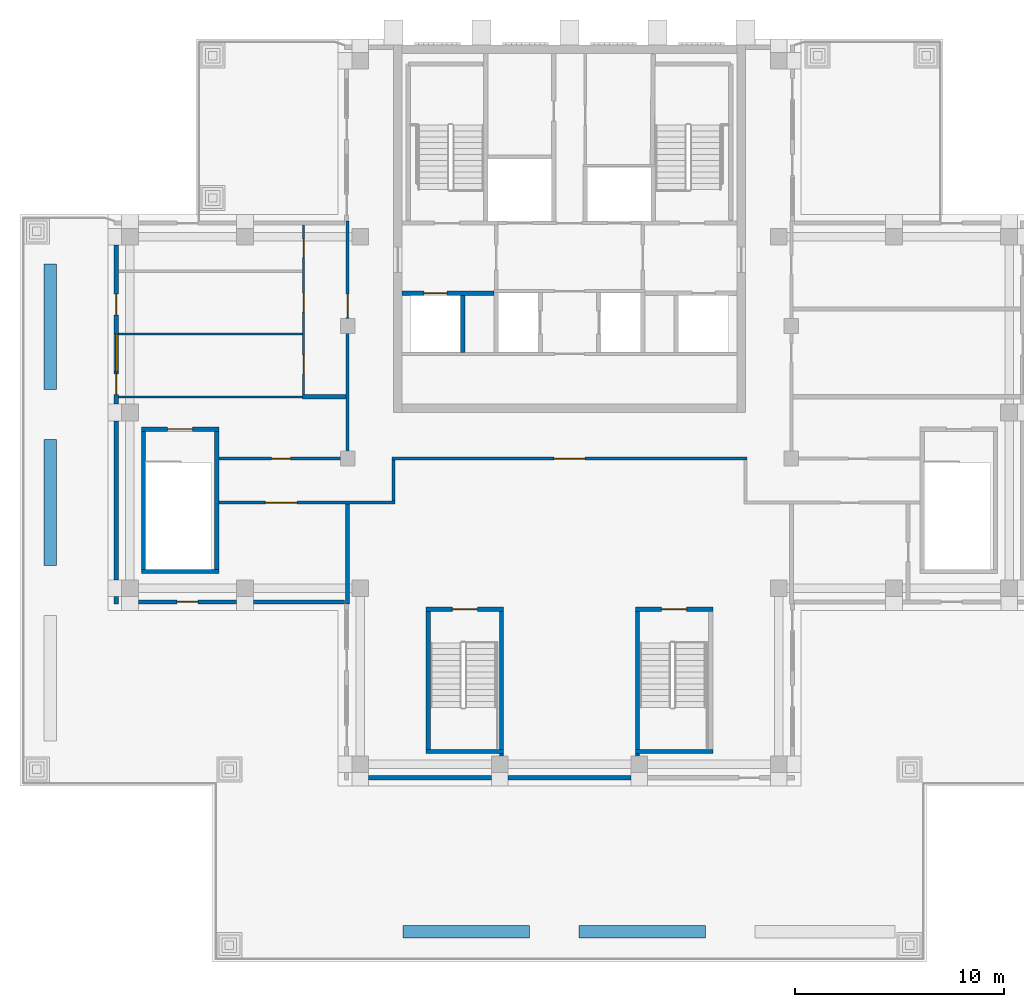
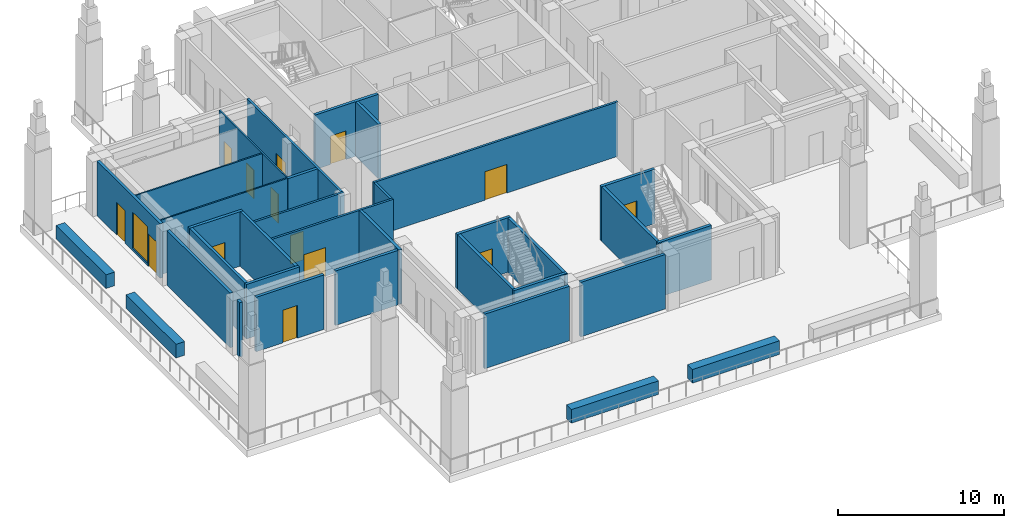
# One storey, part 2 of 10: 34 walls, 14 doors, 1 window, 15 openings.
"""IFC4 building model written with IfcOpenShell, lengths in metres."""

from ifc_helpers import new_model, si_unit, direction, frame, frame_2d, origin, place, context, subcontext, project, spatial, rectangle, extrude, material, layer, layer_set, type_object, element, fill, save


model = new_model("IFC4")

# Units and contexts
model_context = context("Model", 3, precision=1e-05, world=origin(), true_north=direction((0.0, 1.0)))
body_context = subcontext(model_context, "Body", "Model", "MODEL_VIEW")
ifc_project = project(units=[si_unit("LENGTHUNIT", "METRE"), si_unit("AREAUNIT", "SQUARE_METRE"), si_unit("VOLUMEUNIT", "CUBIC_METRE"), si_unit("PLANEANGLEUNIT", "RADIAN"), si_unit("MASSUNIT", "GRAM", prefix="KILO")], contexts=[model_context])

# Site, building, storey
site_placement = place(None, origin())
site = spatial("IfcSite", under=ifc_project, at=site_placement, CompositionType="ELEMENT")
building_placement = place(site_placement, origin())
building = spatial("IfcBuilding", under=site, at=building_placement, Name="Vermilion Ogive Tower", CompositionType="ELEMENT")
storey_placement = place(building_placement, frame((0.0, 0.0, 269.35009765625)))
storey = spatial("IfcBuildingStorey", under=building, at=storey_placement, Name="L71", CompositionType="ELEMENT", Elevation=269.35009765625)

# Walls
ifc_material_1 = material(Name="Gypsum board partition on steel studs", Category="steel")
ifc_layer_1 = layer(ifc_material_1, 0.10009765625)
ifc_layer_set_1 = layer_set([ifc_layer_1], Name="Partition 100 bath")
wall_type_1 = type_object("IfcWallType", Name="Partition 100 bath", PredefinedType="PARTITIONING", material=ifc_layer_set_1)
wall_1_placement = place(storey_placement, frame((-21.550048828125, 4.949951171875, 0.0), z_axis=(0.0, 0.0, 1.0), x_axis=(1.0, 0.0, 0.0)))
element("IfcWall", 1, at=wall_1_placement, inside=storey, type_object=wall_type_1, Name="L71-FS-W-W006", PredefinedType="PARTITIONING", context=body_context, shape_type="SweptSolid", body=[
    extrude(rectangle(XDim=8.900146484375, YDim=0.10009765625, at=frame_2d((4.4501953125, 0.0))), origin(), (0.0, 0.0, 1.0), 4.0),
])
wall_2_placement = place(storey_placement, frame((-21.550048828125, 7.949951171875, 0.0), z_axis=(0.0, 0.0, 1.0), x_axis=(1.0, 0.0, 0.0)))
element("IfcWall", 2, at=wall_2_placement, inside=storey, type_object=wall_type_1, Name="L71-FS-W-W009", PredefinedType="PARTITIONING", context=body_context, shape_type="SweptSolid", body=[
    extrude(rectangle(XDim=8.800048828125, YDim=0.10009765625, at=frame_2d((4.39990234375, 0.0))), origin(), (0.0, 0.0, 1.0), 4.0),
])

# Wall, openings, doors
wall_3_placement = place(storey_placement, frame((-12.699951171875, 5.050048828125, 0.0), z_axis=(0.0, 0.0, 1.0), x_axis=(0.0, 1.0, 0.0)))
wall_3 = element("IfcWall", 3, at=wall_3_placement, inside=storey, type_object=wall_type_1, Name="L71-FS-W-W012", PredefinedType="PARTITIONING", context=body_context, shape_type="SweptSolid", body=[
    extrude(rectangle(XDim=8.099853515625, YDim=0.10009765625, at=frame_2d((4.0498046875, 0.0))), origin(), (0.0, 0.0, 1.0), 4.0),
])
opening_1_placement = place(wall_3_placement, frame((1.0, 0.0, 0.0)))
opening_1 = element("IfcOpeningElement", 4, at=opening_1_placement, cuts=wall_3, Name="Opening L71S006", PredefinedType="OPENING", context=body_context, shape_type="SweptSolid", body=[
    extrude(rectangle(XDim=0.89990234375, YDim=2.10009765625, at=frame_2d((0.449951171875, 1.050048828125))), frame((0.0, 0.06005859375, 0.0), z_axis=(0.0, -1.0, 0.0), x_axis=(1.0, 0.0, 0.0)), (0.0, 0.0, 1.0), 0.1201171875),
])
opening_2_placement = place(wall_3_placement, frame((3.949951171875, 0.0, 0.0)))
opening_2 = element("IfcOpeningElement", 5, at=opening_2_placement, cuts=wall_3, Name="Opening L71S007", PredefinedType="OPENING", context=body_context, shape_type="SweptSolid", body=[
    extrude(rectangle(XDim=0.89990234375, YDim=2.10009765625, at=frame_2d((0.449951171875, 1.050048828125))), frame((0.0, 0.06005859375, 0.0), z_axis=(0.0, -1.0, 0.0), x_axis=(1.0, 0.0, 0.0)), (0.0, 0.0, 1.0), 0.1201171875),
])
opening_3_placement = place(wall_3_placement, frame((6.5498046875, 0.0, 0.0)))
opening_3 = element("IfcOpeningElement", 6, at=opening_3_placement, cuts=wall_3, Name="Opening L71S008", PredefinedType="OPENING", context=body_context, shape_type="SweptSolid", body=[
    extrude(rectangle(XDim=0.89990234375, YDim=2.10009765625, at=frame_2d((0.449951171875, 1.050048828125))), frame((0.0, 0.06005859375, 0.0), z_axis=(0.0, -1.0, 0.0), x_axis=(1.0, 0.0, 0.0)), (0.0, 0.0, 1.0), 0.1201171875),
])
ifc_material_2 = material(Name="Timber door leaf", Category="wood")
door_type_1 = type_object("IfcDoorType", Name="Room door 900 x 2100 FD30", OperationType="SINGLE_SWING_LEFT", PredefinedType="DOOR", material=ifc_material_2)
door_1_placement = place(opening_1_placement, origin())
door_1 = element("IfcDoor", 7, at=door_1_placement, inside=storey, type_object=door_type_1, Name="L71-FS-D-D006", OperationType="SINGLE_SWING_LEFT", OverallHeight=2.10009765625, OverallWidth=0.89990234375, PredefinedType="DOOR", context=body_context, shape_type="SweptSolid", body=[
    extrude(rectangle(XDim=0.89990234375, YDim=2.10009765625, at=frame_2d((0.449951171875, 1.050048828125))), frame((0.0, 0.02490234375, 0.0), z_axis=(0.0, -1.0, 0.0), x_axis=(1.0, 0.0, 0.0)), (0.0, 0.0, 1.0), 0.050048828125),
])
fill(opening_1, door_1)
door_2_placement = place(opening_2_placement, origin())
door_2 = element("IfcDoor", 8, at=door_2_placement, inside=storey, type_object=door_type_1, Name="L71-FS-D-D007", OperationType="SINGLE_SWING_LEFT", OverallHeight=2.10009765625, OverallWidth=0.89990234375, PredefinedType="DOOR", context=body_context, shape_type="SweptSolid", body=[
    extrude(rectangle(XDim=0.89990234375, YDim=2.10009765625, at=frame_2d((0.449951171875, 1.050048828125))), frame((0.0, 0.02490234375, 0.0), z_axis=(0.0, -1.0, 0.0), x_axis=(1.0, 0.0, 0.0)), (0.0, 0.0, 1.0), 0.050048828125),
])
fill(opening_2, door_2)
door_3_placement = place(opening_3_placement, origin())
door_3 = element("IfcDoor", 9, at=door_3_placement, inside=storey, type_object=door_type_1, Name="L71-FS-D-D008", OperationType="SINGLE_SWING_LEFT", OverallHeight=2.10009765625, OverallWidth=0.89990234375, PredefinedType="DOOR", context=body_context, shape_type="SweptSolid", body=[
    extrude(rectangle(XDim=0.89990234375, YDim=2.10009765625, at=frame_2d((0.449951171875, 1.050048828125))), frame((0.0, 0.02490234375, 0.0), z_axis=(0.0, -1.0, 0.0), x_axis=(1.0, 0.0, 0.0)), (0.0, 0.0, 1.0), 0.050048828125),
])
fill(opening_3, door_3)

# Wall, opening, door
ifc_material_3 = material(Name="Gypsum board partition on steel studs", Category="steel")
ifc_layer_2 = layer(ifc_material_3, 0.14990234375)
ifc_layer_set_2 = layer_set([ifc_layer_2], Name="Partition 150 corridor")
wall_type_2 = type_object("IfcWallType", Name="Partition 150 corridor", PredefinedType="PARTITIONING", material=ifc_layer_set_2)
wall_4_placement = place(storey_placement, frame((-16.75, -0.10009765625, 0.0), z_axis=(0.0, 0.0, 1.0), x_axis=(1.0, 0.0, 0.0)))
wall_4 = element("IfcWall", 10, at=wall_4_placement, inside=storey, type_object=wall_type_2, Name="L71-FS-W-W001", PredefinedType="PARTITIONING", context=body_context, shape_type="SweptSolid", body=[
    extrude(rectangle(XDim=8.425048828125, YDim=0.14990234375, at=frame_2d((4.21240234375, 0.0))), origin(), (0.0, 0.0, 1.0), 4.0),
])
opening_4_placement = place(wall_4_placement, frame((2.22509765625, 0.0, 0.0)))
opening_4 = element("IfcOpeningElement", 11, at=opening_4_placement, cuts=wall_4, Name="Opening L71S002", PredefinedType="OPENING", context=body_context, shape_type="SweptSolid", body=[
    extrude(rectangle(XDim=1.5, YDim=2.10009765625, at=frame_2d((0.75, 1.050048828125))), frame((0.0, 0.0849609375, 0.0), z_axis=(0.0, -1.0, 0.0), x_axis=(1.0, 0.0, 0.0)), (0.0, 0.0, 1.0), 0.169921875),
])
ifc_material_4 = material(Name="Timber door leaf", Category="wood")
door_type_2 = type_object("IfcDoorType", Name="Assembly door 1500 x 2100 FD30", OperationType="DOUBLE_DOOR_SINGLE_SWING", PredefinedType="DOOR", material=ifc_material_4)
door_4_placement = place(opening_4_placement, origin())
door_4 = element("IfcDoor", 12, at=door_4_placement, inside=storey, type_object=door_type_2, Name="L71-FS-D-D002", OperationType="DOUBLE_DOOR_SINGLE_SWING", OverallHeight=2.10009765625, OverallWidth=1.5, PredefinedType="DOOR", context=body_context, shape_type="SweptSolid", body=[
    extrude(rectangle(XDim=1.5, YDim=2.10009765625, at=frame_2d((0.75, 1.050048828125))), frame((0.0, 0.02490234375, 0.0), z_axis=(0.0, -1.0, 0.0), x_axis=(1.0, 0.0, 0.0)), (0.0, 0.0, 1.0), 0.050048828125),
])
fill(opening_4, door_4)

wall_5_placement = place(storey_placement, frame((-16.75, 2.0, 0.0), z_axis=(0.0, 0.0, 1.0), x_axis=(1.0, 0.0, 0.0)))
wall_5 = element("IfcWall", 13, at=wall_5_placement, inside=storey, type_object=wall_type_2, Name="L71-FS-W-W003", PredefinedType="PARTITIONING", context=body_context, shape_type="SweptSolid", body=[
    extrude(rectangle(XDim=6.22509765625, YDim=0.14990234375, at=frame_2d((3.112548828125, 0.0))), origin(), (0.0, 0.0, 1.0), 4.0),
])
opening_5_placement = place(wall_5_placement, frame((2.525146484375, 0.0, 0.0)))
opening_5 = element("IfcOpeningElement", 14, at=opening_5_placement, cuts=wall_5, Name="Opening L71S009", PredefinedType="OPENING", context=body_context, shape_type="SweptSolid", body=[
    extrude(rectangle(XDim=0.89990234375, YDim=2.10009765625, at=frame_2d((0.449951171875, 1.050048828125))), frame((0.0, 0.0849609375, 0.0), z_axis=(0.0, -1.0, 0.0), x_axis=(1.0, 0.0, 0.0)), (0.0, 0.0, 1.0), 0.169921875),
])
door_5_placement = place(opening_5_placement, origin())
door_5 = element("IfcDoor", 15, at=door_5_placement, inside=storey, type_object=door_type_1, Name="L71-FS-D-D009", OperationType="SINGLE_SWING_RIGHT", OverallHeight=2.10009765625, OverallWidth=0.89990234375, PredefinedType="DOOR", context=body_context, shape_type="SweptSolid", body=[
    extrude(rectangle(XDim=0.89990234375, YDim=2.10009765625, at=frame_2d((0.449951171875, 1.050048828125))), frame((0.0, 0.02490234375, 0.0), z_axis=(0.0, -1.0, 0.0), x_axis=(1.0, 0.0, 0.0)), (0.0, 0.0, 1.0), 0.050048828125),
])
fill(opening_5, door_5)

wall_6_placement = place(storey_placement, frame((-8.47509765625, 2.0, 0.0), z_axis=(0.0, 0.0, 1.0), x_axis=(1.0, 0.0, 0.0)))
wall_6 = element("IfcWall", 16, at=wall_6_placement, inside=storey, type_object=wall_type_2, Name="L71-FS-W-W004", PredefinedType="PARTITIONING", context=body_context, shape_type="SweptSolid", body=[
    extrude(rectangle(XDim=16.9501953125, YDim=0.14990234375, at=frame_2d((8.47509765625, 0.0))), origin(), (0.0, 0.0, 1.0), 4.0),
])
opening_6_placement = place(wall_6_placement, frame((7.72509765625, 0.0, 0.0)))
opening_6 = element("IfcOpeningElement", 17, at=opening_6_placement, cuts=wall_6, Name="Opening L71S001", PredefinedType="OPENING", context=body_context, shape_type="SweptSolid", body=[
    extrude(rectangle(XDim=1.5, YDim=2.10009765625, at=frame_2d((0.75, 1.050048828125))), frame((0.0, 0.0849609375, 0.0), z_axis=(0.0, -1.0, 0.0), x_axis=(1.0, 0.0, 0.0)), (0.0, 0.0, 1.0), 0.169921875),
])
ifc_material_5 = material(Name="Timber door leaf", Category="wood")
door_type_3 = type_object("IfcDoorType", Name="Room door 1500 x 2100 FD30", OperationType="DOUBLE_DOOR_SINGLE_SWING", PredefinedType="DOOR", material=ifc_material_5)
door_6_placement = place(opening_6_placement, origin())
door_6 = element("IfcDoor", 18, at=door_6_placement, inside=storey, type_object=door_type_3, Name="L71-FS-D-D001", OperationType="DOUBLE_DOOR_SINGLE_SWING", OverallHeight=2.10009765625, OverallWidth=1.5, PredefinedType="DOOR", context=body_context, shape_type="SweptSolid", body=[
    extrude(rectangle(XDim=1.5, YDim=2.10009765625, at=frame_2d((0.75, 1.050048828125))), frame((0.0, 0.02490234375, 0.0), z_axis=(0.0, -1.0, 0.0), x_axis=(1.0, 0.0, 0.0)), (0.0, 0.0, 1.0), 0.050048828125),
])
fill(opening_6, door_6)

wall_7_placement = place(storey_placement, frame((-10.60009765625, 2.074951171875, 0.0), z_axis=(0.0, 0.0, 1.0), x_axis=(0.0, 1.0, 0.0)))
wall_7 = element("IfcWall", 19, at=wall_7_placement, inside=storey, type_object=wall_type_2, Name="L71-FS-W-W014", PredefinedType="PARTITIONING", context=body_context, shape_type="SweptSolid", body=[
    extrude(rectangle(XDim=11.275146484375, YDim=0.14990234375, at=frame_2d((5.6376953125, 0.0))), origin(), (0.0, 0.0, 1.0), 4.0),
])
opening_7_placement = place(wall_7_placement, frame((6.675048828125, 0.0, 0.0)))
opening_7 = element("IfcOpeningElement", 20, at=opening_7_placement, cuts=wall_7, Name="Opening L71S005", PredefinedType="OPENING", context=body_context, shape_type="SweptSolid", body=[
    extrude(rectangle(XDim=1.10009765625, YDim=2.10009765625, at=frame_2d((0.550048828125, 1.050048828125))), frame((0.0, 0.0849609375, 0.0), z_axis=(0.0, -1.0, 0.0), x_axis=(1.0, 0.0, 0.0)), (0.0, 0.0, 1.0), 0.169921875),
])
ifc_material_6 = material(Name="Timber door leaf", Category="wood")
door_type_4 = type_object("IfcDoorType", Name="Wc door 1100 x 2100 FD30", OperationType="SINGLE_SWING_LEFT", PredefinedType="DOOR", material=ifc_material_6)
door_7_placement = place(opening_7_placement, origin())
door_7 = element("IfcDoor", 21, at=door_7_placement, inside=storey, type_object=door_type_4, Name="L71-FS-D-D005", OperationType="SINGLE_SWING_RIGHT", OverallHeight=2.10009765625, OverallWidth=1.10009765625, PredefinedType="DOOR", context=body_context, shape_type="SweptSolid", body=[
    extrude(rectangle(XDim=1.10009765625, YDim=2.10009765625, at=frame_2d((0.550048828125, 1.050048828125))), frame((0.0, 0.02490234375, 0.0), z_axis=(0.0, -1.0, 0.0), x_axis=(1.0, 0.0, 0.0)), (0.0, 0.0, 1.0), 0.050048828125),
])
fill(opening_7, door_7)

# Walls
wall_8_placement = place(storey_placement, frame((-8.39990234375, -0.02490234375, 0.0), z_axis=(0.0, 0.0, 1.0), x_axis=(0.0, 1.0, 0.0)))
element("IfcWall", 22, at=wall_8_placement, inside=storey, type_object=wall_type_2, Name="L71-FS-W-W015", PredefinedType="PARTITIONING", context=body_context, shape_type="SweptSolid", body=[
    extrude(rectangle(XDim=1.949951171875, YDim=0.14990234375, at=frame_2d((0.97509765625, 0.0))), origin(), (0.0, 0.0, 1.0), 4.0),
])
ifc_material_7 = material(Name="Gypsum board partition on steel studs", Category="steel")
ifc_layer_3 = layer(ifc_material_7, 0.199951171875)
ifc_layer_set_3 = layer_set([ifc_layer_3], Name="Partition 200 party")
wall_type_3 = type_object("IfcWallType", Name="Partition 200 party", PredefinedType="PARTITIONING", material=ifc_layer_set_3)
wall_9_placement = place(storey_placement, frame((-12.75, 4.949951171875, 0.0), z_axis=(0.0, 0.0, 1.0), x_axis=(1.0, 0.0, 0.0)))
element("IfcWall", 23, at=wall_9_placement, inside=storey, type_object=wall_type_3, Name="L71-FS-W-W007", PredefinedType="PARTITIONING", context=body_context, shape_type="SweptSolid", body=[
    extrude(rectangle(XDim=2.074951171875, YDim=0.199951171875, at=frame_2d((1.03759765625, 0.0))), origin(), (0.0, 0.0, 1.0), 4.0),
])
wall_10_placement = place(storey_placement, frame((-10.60009765625, -4.949951171875, 0.0), z_axis=(0.0, 0.0, 1.0), x_axis=(0.0, 1.0, 0.0)))
element("IfcWall", 24, at=wall_10_placement, inside=storey, type_object=wall_type_3, Name="L71-FS-W-W013", PredefinedType="PARTITIONING", context=body_context, shape_type="SweptSolid", body=[
    extrude(rectangle(XDim=4.77490234375, YDim=0.199951171875, at=frame_2d((2.387451171875, 0.0))), origin(), (0.0, 0.0, 1.0), 4.0),
])

# Wall, opening, door
wall_11_placement = place(storey_placement, frame((-7.9990234375, 9.89990234375, 0.0), z_axis=(0.0, 0.0, 1.0), x_axis=(1.0, 0.0, 0.0)))
wall_11 = element("IfcWall", 25, at=wall_11_placement, inside=storey, type_object=wall_type_3, Name="L71-CK-W-W002", PredefinedType="PARTITIONING", context=body_context, shape_type="SweptSolid", body=[
    extrude(rectangle(XDim=4.39892578125, YDim=0.199951171875, at=frame_2d((2.199462890625, 0.0))), origin(), (0.0, 0.0, 1.0), 4.0),
])
opening_8_placement = place(wall_11_placement, frame((1.049072265625, 0.0, 0.0)))
opening_8 = element("IfcOpeningElement", 26, at=opening_8_placement, cuts=wall_11, Name="Opening DAE010", PredefinedType="OPENING", context=body_context, shape_type="SweptSolid", body=[
    extrude(rectangle(XDim=1.10009765625, YDim=2.10009765625, at=frame_2d((0.550048828125, 1.050048828125))), frame((0.0, 0.10986328125, 0.0), z_axis=(0.0, -1.0, 0.0), x_axis=(1.0, 0.0, 0.0)), (0.0, 0.0, 1.0), 0.219970703125),
])
ifc_material_8 = material(Name="Stainless steel", Category="steel")
door_type_5 = type_object("IfcDoorType", Name="Lift landing door 1100 x 2100", OperationType="SLIDING_TO_LEFT", PredefinedType="DOOR", material=ifc_material_8)
door_8_placement = place(opening_8_placement, origin())
door_8 = element("IfcDoor", 27, at=door_8_placement, inside=storey, type_object=door_type_5, Name="L71-CK-D-D002", OperationType="SLIDING_TO_LEFT", OverallHeight=2.10009765625, OverallWidth=1.10009765625, PredefinedType="DOOR", context=body_context, shape_type="SweptSolid", body=[
    extrude(rectangle(XDim=1.10009765625, YDim=2.10009765625, at=frame_2d((0.550048828125, 1.050048828125))), frame((0.0, 0.02490234375, 0.0), z_axis=(0.0, -1.0, 0.0), x_axis=(1.0, 0.0, 0.0)), (0.0, 0.0, 1.0), 0.050048828125),
])
fill(opening_8, door_8)

# Walls
wall_12_placement = place(storey_placement, frame((-5.10009765625, 7.074951171875, 0.0), z_axis=(0.0, 0.0, 1.0), x_axis=(0.0, 1.0, 0.0)))
element("IfcWall", 28, at=wall_12_placement, inside=storey, type_object=wall_type_3, Name="L71-CK-W-W010", PredefinedType="PARTITIONING", context=body_context, shape_type="SweptSolid", body=[
    extrude(rectangle(XDim=2.72509765625, YDim=0.199951171875, at=frame_2d((1.362548828125, 0.0))), origin(), (0.0, 0.0, 1.0), 4.0),
])
ifc_material_9 = material(Name="Concrete B60", Category="concrete")
ifc_layer_4 = layer(ifc_material_9, 0.199951171875)
ifc_layer_set_4 = layer_set([ifc_layer_4], Name="Stair enclosure wall 200 Concrete B60")
wall_type_4 = type_object("IfcWallType", Name="Stair enclosure wall 200 Concrete B60", PredefinedType="PARTITIONING", material=ifc_layer_set_4)
wall_13_placement = place(storey_placement, frame((-20.449951171875, -3.39990234375, 0.0), z_axis=(0.0, 0.0, 1.0), x_axis=(1.0, 0.0, 0.0)))
element("IfcWall", 29, at=wall_13_placement, inside=storey, type_object=wall_type_4, Name="L71-SW-ST9-S1", PredefinedType="PARTITIONING", context=body_context, shape_type="SweptSolid", body=[
    extrude(rectangle(XDim=3.699951171875, YDim=0.199951171875, at=frame_2d((1.85009765625, 0.0))), origin(), (0.0, 0.0, 1.0), 4.0),
])

# Wall, opening, door
wall_14_placement = place(storey_placement, frame((-20.449951171875, 3.39990234375, 0.0), z_axis=(0.0, 0.0, 1.0), x_axis=(1.0, 0.0, 0.0)))
wall_14 = element("IfcWall", 30, at=wall_14_placement, inside=storey, type_object=wall_type_4, Name="L71-SW-ST9-N1", PredefinedType="PARTITIONING", context=body_context, shape_type="SweptSolid", body=[
    extrude(rectangle(XDim=3.699951171875, YDim=0.199951171875, at=frame_2d((1.85009765625, 0.0))), origin(), (0.0, 0.0, 1.0), 4.0),
])
opening_9_placement = place(wall_14_placement, frame((1.25, 0.0, 0.0)))
opening_9 = element("IfcOpeningElement", 31, at=opening_9_placement, cuts=wall_14, Name="Opening L71-SD9", PredefinedType="OPENING", context=body_context, shape_type="SweptSolid", body=[
    extrude(rectangle(XDim=1.199951171875, YDim=2.10009765625, at=frame_2d((0.60009765625, 1.050048828125))), frame((0.0, 0.10986328125, 0.0), z_axis=(0.0, -1.0, 0.0), x_axis=(1.0, 0.0, 0.0)), (0.0, 0.0, 1.0), 0.219970703125),
])
ifc_material_10 = material(Name="Timber door leaf", Category="wood")
door_type_6 = type_object("IfcDoorType", Name="Stair door 1200 x 2100 FD60S", OperationType="SINGLE_SWING_LEFT", PredefinedType="DOOR", material=ifc_material_10)
door_9_placement = place(opening_9_placement, origin())
door_9 = element("IfcDoor", 32, at=door_9_placement, inside=storey, type_object=door_type_6, Name="Stair door ST9", OperationType="SINGLE_SWING_LEFT", OverallHeight=2.10009765625, OverallWidth=1.199951171875, PredefinedType="DOOR", context=body_context, shape_type="SweptSolid", body=[
    extrude(rectangle(XDim=1.199951171875, YDim=2.10009765625, at=frame_2d((0.60009765625, 1.050048828125))), frame((0.0, 0.02490234375, 0.0), z_axis=(0.0, -1.0, 0.0), x_axis=(1.0, 0.0, 0.0)), (0.0, 0.0, 1.0), 0.050048828125),
])
fill(opening_9, door_9)

# Walls
for number, where, z_axis, x_axis, name in (
    (33, (-20.35009765625, -3.300048828125, 0.0), (0.0, 0.0, 1.0), (0.0, 1.0, 0.0), "L71-SW-ST9-W1"),
    (34, (-16.85009765625, -3.300048828125, 0.0), (0.0, 0.0, 1.0), (0.0, 1.0, 0.0), "L71-SW-ST9-E1"),
):
    element("IfcWall", number, at=place(storey_placement, frame(where, z_axis=z_axis, x_axis=x_axis)), inside=storey, type_object=wall_type_4, Name=name, PredefinedType="PARTITIONING", context=body_context, shape_type="SweptSolid", body=[
        extrude(rectangle(XDim=6.60009765625, YDim=0.199951171875, at=frame_2d((3.300048828125, 0.0))), origin(), (0.0, 0.0, 1.0), 4.0),
    ])
ifc_material_11 = material(Name="Concrete B60", Category="concrete")
ifc_layer_5 = layer(ifc_material_11, 0.199951171875)
ifc_layer_set_5 = layer_set([ifc_layer_5], Name="Stair shaft wall 200 Concrete B60")
wall_type_5 = type_object("IfcWallType", Name="Stair shaft wall 200 Concrete B60", PredefinedType="SOLIDWALL", material=ifc_layer_set_5)
wall_15_placement = place(storey_placement, frame((3.14990234375, -12.0, 0.0), z_axis=(0.0, 0.0, 1.0), x_axis=(1.0, 0.0, 0.0)))
element("IfcWall", 35, at=wall_15_placement, inside=storey, type_object=wall_type_5, Name="L71-SW-ST6-S1", PredefinedType="SOLIDWALL", context=body_context, shape_type="SweptSolid", body=[
    extrude(rectangle(XDim=3.7001953125, YDim=0.199951171875, at=frame_2d((1.85009765625, 0.0))), origin(), (0.0, 0.0, 1.0), 4.0),
])

# Wall, opening, door
wall_16_placement = place(storey_placement, frame((3.14990234375, -5.199951171875, 0.0), z_axis=(0.0, 0.0, 1.0), x_axis=(1.0, 0.0, 0.0)))
wall_16 = element("IfcWall", 36, at=wall_16_placement, inside=storey, type_object=wall_type_5, Name="L71-SW-ST6-N1", PredefinedType="SOLIDWALL", context=body_context, shape_type="SweptSolid", body=[
    extrude(rectangle(XDim=3.7001953125, YDim=0.199951171875, at=frame_2d((1.85009765625, 0.0))), origin(), (0.0, 0.0, 1.0), 4.0),
])
opening_10_placement = place(wall_16_placement, frame((1.25, 0.0, 0.0)))
opening_10 = element("IfcOpeningElement", 37, at=opening_10_placement, cuts=wall_16, Name="Opening L71-SD6", PredefinedType="OPENING", context=body_context, shape_type="SweptSolid", body=[
    extrude(rectangle(XDim=1.199951171875, YDim=2.10009765625, at=frame_2d((0.60009765625, 1.050048828125))), frame((0.0, 0.10986328125, 0.0), z_axis=(0.0, -1.0, 0.0), x_axis=(1.0, 0.0, 0.0)), (0.0, 0.0, 1.0), 0.219970703125),
])
door_10_placement = place(opening_10_placement, origin())
door_10 = element("IfcDoor", 38, at=door_10_placement, inside=storey, type_object=door_type_6, Name="Stair door ST6", OperationType="SINGLE_SWING_LEFT", OverallHeight=2.10009765625, OverallWidth=1.199951171875, PredefinedType="DOOR", context=body_context, shape_type="SweptSolid", body=[
    extrude(rectangle(XDim=1.199951171875, YDim=2.10009765625, at=frame_2d((0.60009765625, 1.050048828125))), frame((0.0, 0.02490234375, 0.0), z_axis=(0.0, -1.0, 0.0), x_axis=(1.0, 0.0, 0.0)), (0.0, 0.0, 1.0), 0.050048828125),
])
fill(opening_10, door_10)

# Walls
wall_17_placement = place(storey_placement, frame((3.25, -12.199951171875, 0.0), z_axis=(0.0, 0.0, 1.0), x_axis=(0.0, 1.0, 0.0)))
element("IfcWall", 39, at=wall_17_placement, inside=storey, type_object=wall_type_5, Name="L71-SW-ST6-W1", PredefinedType="SOLIDWALL", context=body_context, shape_type="SweptSolid", body=[
    extrude(rectangle(XDim=6.89990234375, YDim=0.199951171875, at=frame_2d((3.449951171875, 0.0))), origin(), (0.0, 0.0, 1.0), 4.0),
])
wall_18_placement = place(storey_placement, frame((-6.85009765625, -12.0, 0.0), z_axis=(0.0, 0.0, 1.0), x_axis=(1.0, 0.0, 0.0)))
element("IfcWall", 40, at=wall_18_placement, inside=storey, type_object=wall_type_5, Name="L71-SW-ST7-S1", PredefinedType="SOLIDWALL", context=body_context, shape_type="SweptSolid", body=[
    extrude(rectangle(XDim=3.7001953125, YDim=0.199951171875, at=frame_2d((1.85009765625, 0.0))), origin(), (0.0, 0.0, 1.0), 4.0),
])

# Wall, opening, door
wall_19_placement = place(storey_placement, frame((-6.85009765625, -5.199951171875, 0.0), z_axis=(0.0, 0.0, 1.0), x_axis=(1.0, 0.0, 0.0)))
wall_19 = element("IfcWall", 41, at=wall_19_placement, inside=storey, type_object=wall_type_5, Name="L71-SW-ST7-N1", PredefinedType="SOLIDWALL", context=body_context, shape_type="SweptSolid", body=[
    extrude(rectangle(XDim=3.7001953125, YDim=0.199951171875, at=frame_2d((1.85009765625, 0.0))), origin(), (0.0, 0.0, 1.0), 4.0),
])
opening_11_placement = place(wall_19_placement, frame((1.25, 0.0, 0.0)))
opening_11 = element("IfcOpeningElement", 42, at=opening_11_placement, cuts=wall_19, Name="Opening L71-SD7", PredefinedType="OPENING", context=body_context, shape_type="SweptSolid", body=[
    extrude(rectangle(XDim=1.199951171875, YDim=2.10009765625, at=frame_2d((0.60009765625, 1.050048828125))), frame((0.0, 0.10986328125, 0.0), z_axis=(0.0, -1.0, 0.0), x_axis=(1.0, 0.0, 0.0)), (0.0, 0.0, 1.0), 0.219970703125),
])
door_11_placement = place(opening_11_placement, origin())
door_11 = element("IfcDoor", 43, at=door_11_placement, inside=storey, type_object=door_type_6, Name="Stair door ST7", OperationType="SINGLE_SWING_LEFT", OverallHeight=2.10009765625, OverallWidth=1.199951171875, PredefinedType="DOOR", context=body_context, shape_type="SweptSolid", body=[
    extrude(rectangle(XDim=1.199951171875, YDim=2.10009765625, at=frame_2d((0.60009765625, 1.050048828125))), frame((0.0, 0.02490234375, 0.0), z_axis=(0.0, -1.0, 0.0), x_axis=(1.0, 0.0, 0.0)), (0.0, 0.0, 1.0), 0.050048828125),
])
fill(opening_11, door_11)

# Walls
wall_20_placement = place(storey_placement, frame((-6.75, -11.89990234375, 0.0), z_axis=(0.0, 0.0, 1.0), x_axis=(0.0, 1.0, 0.0)))
element("IfcWall", 44, at=wall_20_placement, inside=storey, type_object=wall_type_5, Name="L71-SW-ST7-W1", PredefinedType="SOLIDWALL", context=body_context, shape_type="SweptSolid", body=[
    extrude(rectangle(XDim=6.599853515625, YDim=0.199951171875, at=frame_2d((3.2998046875, 0.0))), origin(), (0.0, 0.0, 1.0), 4.0),
])
wall_21_placement = place(storey_placement, frame((-3.25, -12.199951171875, 0.0), z_axis=(0.0, 0.0, 1.0), x_axis=(0.0, 1.0, 0.0)))
element("IfcWall", 45, at=wall_21_placement, inside=storey, type_object=wall_type_5, Name="L71-SW-ST7-E1", PredefinedType="SOLIDWALL", context=body_context, shape_type="SweptSolid", body=[
    extrude(rectangle(XDim=6.89990234375, YDim=0.199951171875, at=frame_2d((3.449951171875, 0.0))), origin(), (0.0, 0.0, 1.0), 4.0),
])
ifc_material_12 = material(Name="Concrete B40", Category="concrete")
ifc_layer_6 = layer(ifc_material_12, 0.60009765625)
ifc_layer_set_6 = layer_set([ifc_layer_6], Name="Terrace planter")
wall_type_6 = type_object("IfcWallType", Name="Terrace planter", PredefinedType="USERDEFINED", material=ifc_layer_set_6)
for number, where, z_axis, x_axis, name in (
    (46, (6.5, -20.60009765625, 0.0), (0.0, 0.0, 1.0), (-1.0, 0.0, 0.0), "Terrace planter 1.1.5"),
    (47, (-1.89990234375, -20.60009765625, 0.0), (0.0, 0.0, 1.0), (-1.0, 0.0, 0.0), "Terrace planter 1.1.6"),
):
    element("IfcWall", number, at=place(storey_placement, frame(where, z_axis=z_axis, x_axis=x_axis)), inside=storey, type_object=wall_type_6, Name=name, ObjectType="PLANTER", PredefinedType="USERDEFINED", context=body_context, shape_type="SweptSolid", body=[
        extrude(rectangle(XDim=6.050048828125, YDim=0.60009765625, at=frame_2d((3.02490234375, 0.0))), origin(), (0.0, 0.0, 1.0), 1.0),
    ])
for number, where, z_axis, x_axis, name in (
    (48, (-24.800048828125, -3.10009765625, 0.0), (0.0, 0.0, 1.0), (0.0, 1.0, 0.0), "Terrace planter 1.1.8"),
    (49, (-24.800048828125, 5.300048828125, 0.0), (0.0, 0.0, 1.0), (0.0, 1.0, 0.0), "Terrace planter 1.1.9"),
):
    element("IfcWall", number, at=place(storey_placement, frame(where, z_axis=z_axis, x_axis=x_axis)), inside=storey, type_object=wall_type_6, Name=name, ObjectType="PLANTER", PredefinedType="USERDEFINED", context=body_context, shape_type="SweptSolid", body=[
        extrude(rectangle(XDim=6.0, YDim=0.60009765625, at=frame_2d((3.0, 0.0))), origin(), (0.0, 0.0, 1.0), 1.0),
    ])
ifc_material_13 = material(Name="Aluminium window wall framing", Category="aluminium")
ifc_layer_7 = layer(ifc_material_13, 0.199951171875)
ifc_layer_set_7 = layer_set([ifc_layer_7], Name="Window wall")
wall_type_7 = type_object("IfcWallType", Name="Window wall", PredefinedType="STANDARD", material=ifc_layer_set_7)
for number, where, z_axis, x_axis, name in (
    (50, (-9.60009765625, -13.25, 0.0), (0.0, 0.0, 1.0), (1.0, 0.0, 0.0), "Window wall S1"),
    (51, (-2.933349609375, -13.25, 0.0), (0.0, 0.0, 1.0), (1.0, 0.0, 0.0), "Window wall S2"),
):
    element("IfcWall", number, at=place(storey_placement, frame(where, z_axis=z_axis, x_axis=x_axis)), inside=storey, type_object=wall_type_7, Name=name, PredefinedType="STANDARD", context=body_context, shape_type="SweptSolid", body=[
        extrude(rectangle(XDim=5.86669921875, YDim=0.199951171875, at=frame_2d((2.933349609375, 0.0))), origin(), (0.0, 0.0, 1.0), 4.0),
    ])

# Wall, openings, doors, window
wall_22_placement = place(storey_placement, frame((-21.64990234375, 12.199951171875, 0.0), z_axis=(0.0, 0.0, 1.0), x_axis=(0.0, -1.0, 0.0)))
wall_22 = element("IfcWall", 52, at=wall_22_placement, inside=storey, type_object=wall_type_7, Name="Window wall W1", PredefinedType="STANDARD", context=body_context, shape_type="SweptSolid", body=[
    extrude(rectangle(XDim=7.599853515625, YDim=0.199951171875, at=frame_2d((3.7998046875, 0.0))), origin(), (0.0, 0.0, 1.0), 4.0),
])
opening_12_placement = place(wall_22_placement, frame((4.25, 0.0, 0.199951171875)))
opening_12 = element("IfcOpeningElement", 53, at=opening_12_placement, cuts=wall_22, Name="Opening W1-W01", PredefinedType="OPENING", context=body_context, shape_type="SweptSolid", body=[
    extrude(rectangle(XDim=1.800048828125, YDim=2.64990234375, at=frame_2d((0.89990234375, 1.324951171875))), frame((0.0, 0.10986328125, 0.0), z_axis=(0.0, -1.0, 0.0), x_axis=(1.0, 0.0, 0.0)), (0.0, 0.0, 1.0), 0.219970703125),
])
opening_13_placement = place(wall_22_placement, frame((6.14990234375, 0.0, 0.0)))
opening_13 = element("IfcOpeningElement", 54, at=opening_13_placement, cuts=wall_22, Name="Opening D1-W01", PredefinedType="OPENING", context=body_context, shape_type="SweptSolid", body=[
    extrude(rectangle(XDim=1.0, YDim=2.39990234375, at=frame_2d((0.5, 1.199951171875))), frame((0.0, 0.10986328125, 0.0), z_axis=(0.0, -1.0, 0.0), x_axis=(1.0, 0.0, 0.0)), (0.0, 0.0, 1.0), 0.219970703125),
])
opening_14_placement = place(wall_22_placement, frame((2.35009765625, 0.0, 0.0)))
opening_14 = element("IfcOpeningElement", 55, at=opening_14_placement, cuts=wall_22, Name="Opening D1-W02", PredefinedType="OPENING", context=body_context, shape_type="SweptSolid", body=[
    extrude(rectangle(XDim=1.0, YDim=2.39990234375, at=frame_2d((0.5, 1.199951171875))), frame((0.0, 0.10986328125, 0.0), z_axis=(0.0, -1.0, 0.0), x_axis=(1.0, 0.0, 0.0)), (0.0, 0.0, 1.0), 0.219970703125),
])
ifc_material_14 = material(Name="Aluminium framed glazed door", Category="aluminium")
door_type_7 = type_object("IfcDoorType", Name="Balcony door D1", OperationType="SINGLE_SWING_LEFT", PredefinedType="DOOR", material=ifc_material_14)
door_12_placement = place(opening_13_placement, origin())
door_12 = element("IfcDoor", 56, at=door_12_placement, inside=storey, type_object=door_type_7, Name="Balcony door W01", OperationType="SINGLE_SWING_LEFT", OverallHeight=2.39990234375, OverallWidth=1.0, PredefinedType="DOOR", context=body_context, shape_type="SweptSolid", body=[
    extrude(rectangle(XDim=1.0, YDim=2.39990234375, at=frame_2d((0.5, 1.199951171875))), frame((0.0, 0.02490234375, 0.0), z_axis=(0.0, -1.0, 0.0), x_axis=(1.0, 0.0, 0.0)), (0.0, 0.0, 1.0), 0.050048828125),
])
fill(opening_13, door_12)
door_13_placement = place(opening_14_placement, origin())
door_13 = element("IfcDoor", 57, at=door_13_placement, inside=storey, type_object=door_type_7, Name="Balcony door W02", OperationType="SINGLE_SWING_LEFT", OverallHeight=2.39990234375, OverallWidth=1.0, PredefinedType="DOOR", context=body_context, shape_type="SweptSolid", body=[
    extrude(rectangle(XDim=1.0, YDim=2.39990234375, at=frame_2d((0.5, 1.199951171875))), frame((0.0, 0.02490234375, 0.0), z_axis=(0.0, -1.0, 0.0), x_axis=(1.0, 0.0, 0.0)), (0.0, 0.0, 1.0), 0.050048828125),
])
fill(opening_14, door_13)
ifc_material_15 = material(Name="Aluminium framed double glazing", Category="aluminium")
window_type = type_object("IfcWindowType", Name="Guest window W1", PartitioningType="SINGLE_PANEL", PredefinedType="WINDOW", material=ifc_material_15)
window_placement = place(opening_12_placement, origin())
window = element("IfcWindow", 58, at=window_placement, inside=storey, type_object=window_type, Name="Window W01", OverallHeight=2.64990234375, OverallWidth=1.800048828125, PartitioningType="SINGLE_PANEL", PredefinedType="WINDOW", context=body_context, shape_type="SweptSolid", body=[
    extrude(rectangle(XDim=1.800048828125, YDim=2.64990234375, at=frame_2d((0.89990234375, 1.324951171875))), frame((0.0, 0.030029296875, 0.0), z_axis=(0.0, -1.0, 0.0), x_axis=(1.0, 0.0, 0.0)), (0.0, 0.0, 1.0), 0.06005859375),
])
fill(opening_12, window)

# Walls
wall_23_placement = place(storey_placement, frame((-21.64990234375, 3.800048828125, 0.0), z_axis=(0.0, 0.0, 1.0), x_axis=(0.0, -1.0, 0.0)))
element("IfcWall", 59, at=wall_23_placement, inside=storey, type_object=wall_type_7, Name="Window wall W2", PredefinedType="STANDARD", context=body_context, shape_type="SweptSolid", body=[
    extrude(rectangle(XDim=7.60009765625, YDim=0.199951171875, at=frame_2d((3.800048828125, 0.0))), origin(), (0.0, 0.0, 1.0), 4.0),
])
wall_24_placement = place(storey_placement, frame((-21.64990234375, -4.60009765625, 0.0), z_axis=(0.0, 0.0, 1.0), x_axis=(0.0, -1.0, 0.0)))
element("IfcWall", 60, at=wall_24_placement, inside=storey, type_object=wall_type_7, Name="Window wall W3", PredefinedType="STANDARD", context=body_context, shape_type="SweptSolid", body=[
    extrude(rectangle(XDim=0.349853515625, YDim=0.199951171875, at=frame_2d((0.1748046875, 0.0))), origin(), (0.0, 0.0, 1.0), 4.0),
])

# Wall, opening, door
wall_25_placement = place(storey_placement, frame((-20.60009765625, -4.85009765625, 0.0), z_axis=(0.0, 0.0, 1.0), x_axis=(1.0, 0.0, 0.0)))
wall_25 = element("IfcWall", 61, at=wall_25_placement, inside=storey, type_object=wall_type_7, Name="Window wall X71", PredefinedType="STANDARD", context=body_context, shape_type="SweptSolid", body=[
    extrude(rectangle(XDim=4.7001953125, YDim=0.199951171875, at=frame_2d((2.35009765625, 0.0))), origin(), (0.0, 0.0, 1.0), 4.0),
])
opening_15_placement = place(wall_25_placement, frame((1.85009765625, 0.0, 0.0)))
opening_15 = element("IfcOpeningElement", 62, at=opening_15_placement, cuts=wall_25, Name="Opening D1-X7X", PredefinedType="OPENING", context=body_context, shape_type="SweptSolid", body=[
    extrude(rectangle(XDim=1.0, YDim=2.39990234375, at=frame_2d((0.5, 1.199951171875))), frame((0.0, 0.10986328125, 0.0), z_axis=(0.0, -1.0, 0.0), x_axis=(1.0, 0.0, 0.0)), (0.0, 0.0, 1.0), 0.219970703125),
])
door_14_placement = place(opening_15_placement, origin())
door_14 = element("IfcDoor", 63, at=door_14_placement, inside=storey, type_object=door_type_7, Name="Balcony door X7X", OperationType="SINGLE_SWING_LEFT", OverallHeight=2.39990234375, OverallWidth=1.0, PredefinedType="DOOR", context=body_context, shape_type="SweptSolid", body=[
    extrude(rectangle(XDim=1.0, YDim=2.39990234375, at=frame_2d((0.5, 1.199951171875))), frame((0.0, 0.02490234375, 0.0), z_axis=(0.0, -1.0, 0.0), x_axis=(1.0, 0.0, 0.0)), (0.0, 0.0, 1.0), 0.050048828125),
])
fill(opening_15, door_14)

# Wall
wall_26_placement = place(storey_placement, frame((-15.10009765625, -4.85009765625, 0.0), z_axis=(0.0, 0.0, 1.0), x_axis=(1.0, 0.0, 0.0)))
element("IfcWall", 64, at=wall_26_placement, inside=storey, type_object=wall_type_7, Name="Window wall X72", PredefinedType="STANDARD", context=body_context, shape_type="SweptSolid", body=[
    extrude(rectangle(XDim=4.35009765625, YDim=0.199951171875, at=frame_2d((2.175048828125, 0.0))), origin(), (0.0, 0.0, 1.0), 4.0),
])

save(model, "model.ifc")
